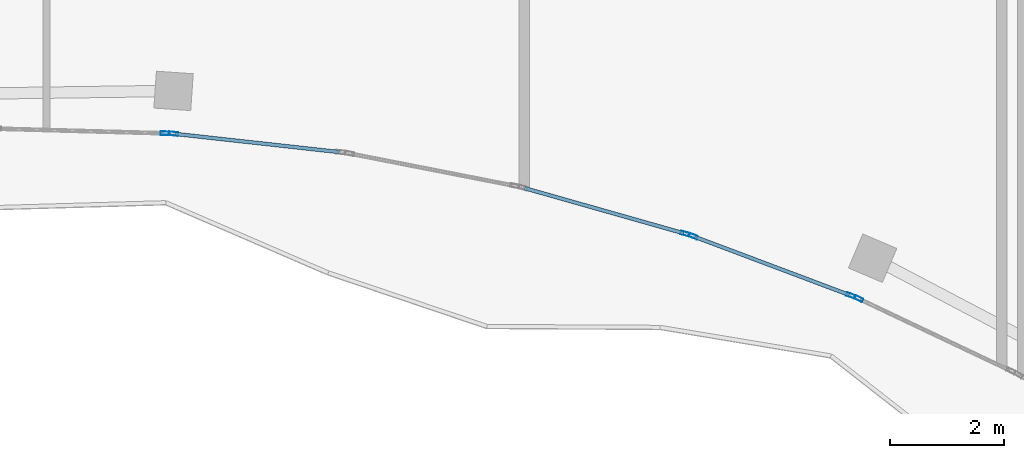
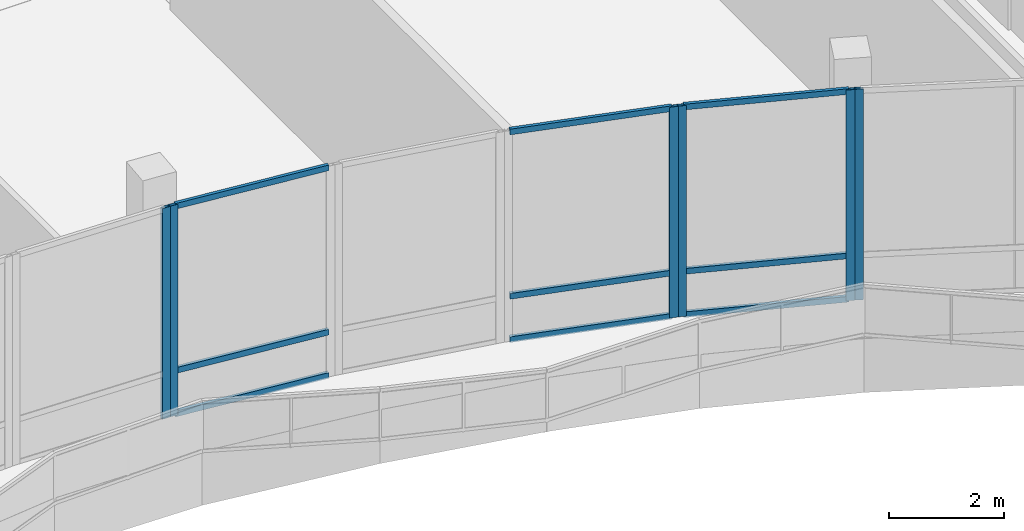
# One storey, part 94 of 155: 15 members, 5 elements without a shape of their own.
"""IFC4 building model written with IfcOpenShell, lengths in metres."""

from ifc_helpers import new_model, si_unit, direction, frame, origin, origin_2d, place, context, subcontext, project, spatial, hollow_rectangle, extrude, material, material_profile, profile_set, type_object, element, aggregate, save


model = new_model("IFC4")

# Units and contexts
model_context = context("Model", 3, precision=1e-05, world=origin(), true_north=direction((0.0, 1.0)))
body_context = subcontext(model_context, "Body", "Model", "MODEL_VIEW")
ifc_project = project(units=[si_unit("LENGTHUNIT", "METRE"), si_unit("AREAUNIT", "SQUARE_METRE"), si_unit("VOLUMEUNIT", "CUBIC_METRE"), si_unit("PLANEANGLEUNIT", "RADIAN"), si_unit("MASSUNIT", "GRAM", prefix="KILO")], contexts=[model_context])

# Site, building, storey
site_placement = place(None, origin())
site = spatial("IfcSite", under=ifc_project, at=site_placement, CompositionType="ELEMENT")
building_placement = place(site_placement, origin())
building = spatial("IfcBuilding", under=site, at=building_placement, Name="Selatvlak General Hospital", CompositionType="ELEMENT")
storey_placement = place(building_placement, frame((0.0, 0.0, 10.199951171875)))
storey = spatial("IfcBuildingStorey", under=building, at=storey_placement, Name="L02", CompositionType="ELEMENT", Elevation=10.199951171875)

# Curtain wall, member
ifc_material_1 = material(Name="Solar-control Low-E double glazing", Category="glass")
curtain_wall_type_1 = type_object("IfcCurtainWallType", Name="CW-CW-02", PredefinedType="USERDEFINED", material=ifc_material_1)
curtain_wall_1_placement = place(storey_placement, origin())
curtain_wall_1 = element("IfcCurtainWall", 1, at=curtain_wall_1_placement, inside=storey, type_object=curtain_wall_type_1, Name="Glazed facade curtain wall CW-L02-0278", ObjectType="UNITISED CURTAIN WALL", PredefinedType="USERDEFINED")
ifc_material_2 = material(Name="Dark anodised aluminium mullion", Category="aluminium")
ifc_material_profile_1 = material_profile(ifc_material_2, hollow_rectangle(XDim=0.06494140625, YDim=0.159912109375, WallThickness=0.00390625, at=origin_2d()), Name="AL-MUL 65x160x4")
ifc_profile_set_1 = profile_set([ifc_material_profile_1], Name="Dark anodised aluminium mullion")
member_type_1 = type_object("IfcMemberType", Name="CWM-01", PredefinedType="MULLION", material=ifc_profile_set_1)
member_1_placement = place(storey_placement, frame((154.680419921875, 51.005126953125, 0.0), z_axis=(0.0, 0.0, 1.0), x_axis=(-0.428525558966, -0.903529659343, 0.0)))
member_1 = element("IfcMember", 2, at=member_1_placement, type_object=member_type_1, Name="CW-02 mullion 2", PredefinedType="MULLION", context=body_context, shape_type="SweptSolid", body=[
    extrude(hollow_rectangle(XDim=0.06494140625, YDim=0.159912109375, WallThickness=0.00390625, at=origin_2d()), origin(), (0.0, 0.0, 1.0), 4.4599609375),
])
aggregate(curtain_wall_1, [member_1])

# Curtain wall, members
curtain_wall_type_2 = type_object("IfcCurtainWallType", Name="CW-CW-01", PredefinedType="USERDEFINED", material=ifc_material_1)
curtain_wall_2_placement = place(storey_placement, origin())
curtain_wall_2 = element("IfcCurtainWall", 3, at=curtain_wall_2_placement, inside=storey, type_object=curtain_wall_type_2, Name="Glazed facade curtain wall CW-L02-0279", ObjectType="UNITISED CURTAIN WALL", PredefinedType="USERDEFINED")
member_2_placement = place(storey_placement, frame((154.545654296875, 51.059326171875, 0.0), z_axis=(0.0, 0.0, 1.0), x_axis=(-0.352027174905, -0.935989779927, 0.0)))
member_2 = element("IfcMember", 4, at=member_2_placement, type_object=member_type_1, Name="CW-01 mullion 1", PredefinedType="MULLION", context=body_context, shape_type="SweptSolid", body=[
    extrude(hollow_rectangle(XDim=0.06494140625, YDim=0.159912109375, WallThickness=0.00390625, at=origin_2d()), origin(), (0.0, 0.0, 1.0), 4.4599609375),
])
member_3_placement = place(storey_placement, frame((151.76953125, 52.103515625, 0.0), z_axis=(0.0, 0.0, 1.0), x_axis=(-0.352027174905, -0.935989779927, 0.0)))
member_3 = element("IfcMember", 5, at=member_3_placement, type_object=member_type_1, Name="CW-01 mullion 2", PredefinedType="MULLION", context=body_context, shape_type="SweptSolid", body=[
    extrude(hollow_rectangle(XDim=0.06494140625, YDim=0.159912109375, WallThickness=0.00390625, at=origin_2d()), origin(), (0.0, 0.0, 1.0), 4.4599609375),
])

# Curtain wall, member
curtain_wall_3_placement = place(storey_placement, origin())
curtain_wall_3 = element("IfcCurtainWall", 6, at=curtain_wall_3_placement, inside=storey, type_object=curtain_wall_type_1, Name="Glazed facade curtain wall CW-L02-0280", ObjectType="UNITISED CURTAIN WALL", PredefinedType="USERDEFINED")
member_4_placement = place(storey_placement, frame((151.6318359375, 52.14697265625, 0.0), z_axis=(0.0, 0.0, 1.0), x_axis=(-0.272846888748, -0.962057469853, 0.0)))
member_4 = element("IfcMember", 7, at=member_4_placement, type_object=member_type_1, Name="CW-02 mullion 1", PredefinedType="MULLION", context=body_context, shape_type="SweptSolid", body=[
    extrude(hollow_rectangle(XDim=0.06494140625, YDim=0.159912109375, WallThickness=0.00390625, at=origin_2d()), origin(), (0.0, 0.0, 1.0), 4.4599609375),
])

curtain_wall_4_placement = place(storey_placement, origin())
curtain_wall_4 = element("IfcCurtainWall", 8, at=curtain_wall_4_placement, inside=storey, type_object=curtain_wall_type_1, Name="Glazed facade curtain wall CW-L02-0282", ObjectType="UNITISED CURTAIN WALL", PredefinedType="USERDEFINED")
member_5_placement = place(storey_placement, frame((142.63037109375, 53.905517578125, 0.0), z_axis=(0.0, 0.0, 1.0), x_axis=(-0.109780202548, -0.993955887919, 0.0)))
member_5 = element("IfcMember", 9, at=member_5_placement, type_object=member_type_1, Name="CW-02 mullion 2", PredefinedType="MULLION", context=body_context, shape_type="SweptSolid", body=[
    extrude(hollow_rectangle(XDim=0.06494140625, YDim=0.159912109375, WallThickness=0.00390625, at=origin_2d()), origin(), (0.0, 0.0, 1.0), 4.4599609375),
])

curtain_wall_5_placement = place(storey_placement, origin())
curtain_wall_5 = element("IfcCurtainWall", 10, at=curtain_wall_5_placement, inside=storey, type_object=curtain_wall_type_2, Name="Glazed facade curtain wall CW-L02-0283", ObjectType="UNITISED CURTAIN WALL", PredefinedType="USERDEFINED")
member_6_placement = place(storey_placement, frame((142.485595703125, 53.912841796875, 0.0), z_axis=(0.0, 0.0, 1.0), x_axis=(-0.027693859483, -0.999616451519, 0.0)))
member_6 = element("IfcMember", 11, at=member_6_placement, type_object=member_type_1, Name="CW-01 mullion 1", PredefinedType="MULLION", context=body_context, shape_type="SweptSolid", body=[
    extrude(hollow_rectangle(XDim=0.06494140625, YDim=0.159912109375, WallThickness=0.00390625, at=origin_2d()), origin(), (0.0, 0.0, 1.0), 4.4599609375),
])
aggregate(curtain_wall_5, [member_6])

# Member
ifc_material_profile_2 = material_profile(ifc_material_2, hollow_rectangle(XDim=0.06494140625, YDim=0.1201171875, WallThickness=0.00390625, at=origin_2d()), Name="AL-TRN 65x120x4")
ifc_profile_set_2 = profile_set([ifc_material_profile_2], Name="Dark anodised aluminium mullion")
member_type_2 = type_object("IfcMemberType", Name="CWT-01", PredefinedType="USERDEFINED", material=ifc_profile_set_2)
member_7_placement = place(storey_placement, frame((154.51513671875, 51.07080078125, 0.032470703125), z_axis=(-0.935989809252, 0.352027096934, 0.0), x_axis=(-0.352027096934, -0.935989809252, 0.0)))
member_7 = element("IfcMember", 12, at=member_7_placement, type_object=member_type_2, Name="CW-01 transom 1.1", ObjectType="TRANSOM", PredefinedType="USERDEFINED", context=body_context, shape_type="SweptSolid", body=[
    extrude(hollow_rectangle(XDim=0.06494140625, YDim=0.1201171875, WallThickness=0.00390625, at=origin_2d()), origin(), (0.0, 0.0, 1.0), 2.901123046875),
])

member_8_placement = place(storey_placement, frame((154.51513671875, 51.07080078125, 0.949951171875), z_axis=(-0.935989809252, 0.352027096934, 0.0), x_axis=(-0.352027096934, -0.935989809252, 0.0)))
member_8 = element("IfcMember", 13, at=member_8_placement, type_object=member_type_2, Name="CW-01 transom 1.2", ObjectType="TRANSOM", PredefinedType="USERDEFINED", context=body_context, shape_type="SweptSolid", body=[
    extrude(hollow_rectangle(XDim=0.06494140625, YDim=0.1201171875, WallThickness=0.00390625, at=origin_2d()), origin(), (0.0, 0.0, 1.0), 2.901123046875),
])

member_9_placement = place(storey_placement, frame((154.51513671875, 51.07080078125, 4.427490234375), z_axis=(-0.935989809252, 0.352027096934, 0.0), x_axis=(-0.352027096934, -0.935989809252, 0.0)))
member_9 = element("IfcMember", 14, at=member_9_placement, type_object=member_type_2, Name="CW-01 transom 1.3", ObjectType="TRANSOM", PredefinedType="USERDEFINED", context=body_context, shape_type="SweptSolid", body=[
    extrude(hollow_rectangle(XDim=0.06494140625, YDim=0.1201171875, WallThickness=0.00390625, at=origin_2d()), origin(), (0.0, 0.0, 1.0), 2.901123046875),
])

aggregate(curtain_wall_2, [member_2, member_3, member_7, member_8, member_9])

member_10_placement = place(storey_placement, frame((151.6005859375, 52.15576171875, 0.032470703125), z_axis=(-0.962061954442, 0.272831075604, 0.0), x_axis=(-0.272831075604, -0.962061954442, 0.0)))
member_10 = element("IfcMember", 15, at=member_10_placement, type_object=member_type_2, Name="CW-02 transom 1.1", ObjectType="TRANSOM", PredefinedType="USERDEFINED", context=body_context, shape_type="SweptSolid", body=[
    extrude(hollow_rectangle(XDim=0.06494140625, YDim=0.1201171875, WallThickness=0.00390625, at=origin_2d()), origin(), (0.0, 0.0, 1.0), 2.901123046875),
])

member_11_placement = place(storey_placement, frame((151.6005859375, 52.15576171875, 0.949951171875), z_axis=(-0.962061954442, 0.272831075604, 0.0), x_axis=(-0.272831075604, -0.962061954442, 0.0)))
member_11 = element("IfcMember", 16, at=member_11_placement, type_object=member_type_2, Name="CW-02 transom 1.2", ObjectType="TRANSOM", PredefinedType="USERDEFINED", context=body_context, shape_type="SweptSolid", body=[
    extrude(hollow_rectangle(XDim=0.06494140625, YDim=0.1201171875, WallThickness=0.00390625, at=origin_2d()), origin(), (0.0, 0.0, 1.0), 2.901123046875),
])

member_12_placement = place(storey_placement, frame((151.6005859375, 52.15576171875, 4.427490234375), z_axis=(-0.962061954442, 0.272831075604, 0.0), x_axis=(-0.272831075604, -0.962061954442, 0.0)))
member_12 = element("IfcMember", 17, at=member_12_placement, type_object=member_type_2, Name="CW-02 transom 1.3", ObjectType="TRANSOM", PredefinedType="USERDEFINED", context=body_context, shape_type="SweptSolid", body=[
    extrude(hollow_rectangle(XDim=0.06494140625, YDim=0.1201171875, WallThickness=0.00390625, at=origin_2d()), origin(), (0.0, 0.0, 1.0), 2.901123046875),
])

aggregate(curtain_wall_3, [member_4, member_10, member_11, member_12])

member_13_placement = place(storey_placement, frame((145.54833984375, 53.583251953125, 0.032470703125), z_axis=(-0.993960406488, 0.109739283457, 0.0), x_axis=(-0.109739283457, -0.993960406488, 0.0)))
member_13 = element("IfcMember", 18, at=member_13_placement, type_object=member_type_2, Name="CW-02 transom 1.1", ObjectType="TRANSOM", PredefinedType="USERDEFINED", context=body_context, shape_type="SweptSolid", body=[
    extrude(hollow_rectangle(XDim=0.06494140625, YDim=0.1201171875, WallThickness=0.00390625, at=origin_2d()), origin(), (0.0, 0.0, 1.0), 2.9033203125),
])

member_14_placement = place(storey_placement, frame((145.54833984375, 53.583251953125, 0.949951171875), z_axis=(-0.993960406488, 0.109739283457, 0.0), x_axis=(-0.109739283457, -0.993960406488, 0.0)))
member_14 = element("IfcMember", 19, at=member_14_placement, type_object=member_type_2, Name="CW-02 transom 1.2", ObjectType="TRANSOM", PredefinedType="USERDEFINED", context=body_context, shape_type="SweptSolid", body=[
    extrude(hollow_rectangle(XDim=0.06494140625, YDim=0.1201171875, WallThickness=0.00390625, at=origin_2d()), origin(), (0.0, 0.0, 1.0), 2.9033203125),
])

member_15_placement = place(storey_placement, frame((145.54833984375, 53.583251953125, 4.427490234375), z_axis=(-0.993960406488, 0.109739283457, 0.0), x_axis=(-0.109739283457, -0.993960406488, 0.0)))
member_15 = element("IfcMember", 20, at=member_15_placement, type_object=member_type_2, Name="CW-02 transom 1.3", ObjectType="TRANSOM", PredefinedType="USERDEFINED", context=body_context, shape_type="SweptSolid", body=[
    extrude(hollow_rectangle(XDim=0.06494140625, YDim=0.1201171875, WallThickness=0.00390625, at=origin_2d()), origin(), (0.0, 0.0, 1.0), 2.9033203125),
])

aggregate(curtain_wall_4, [member_5, member_13, member_14, member_15])

save(model, "model.ifc")
